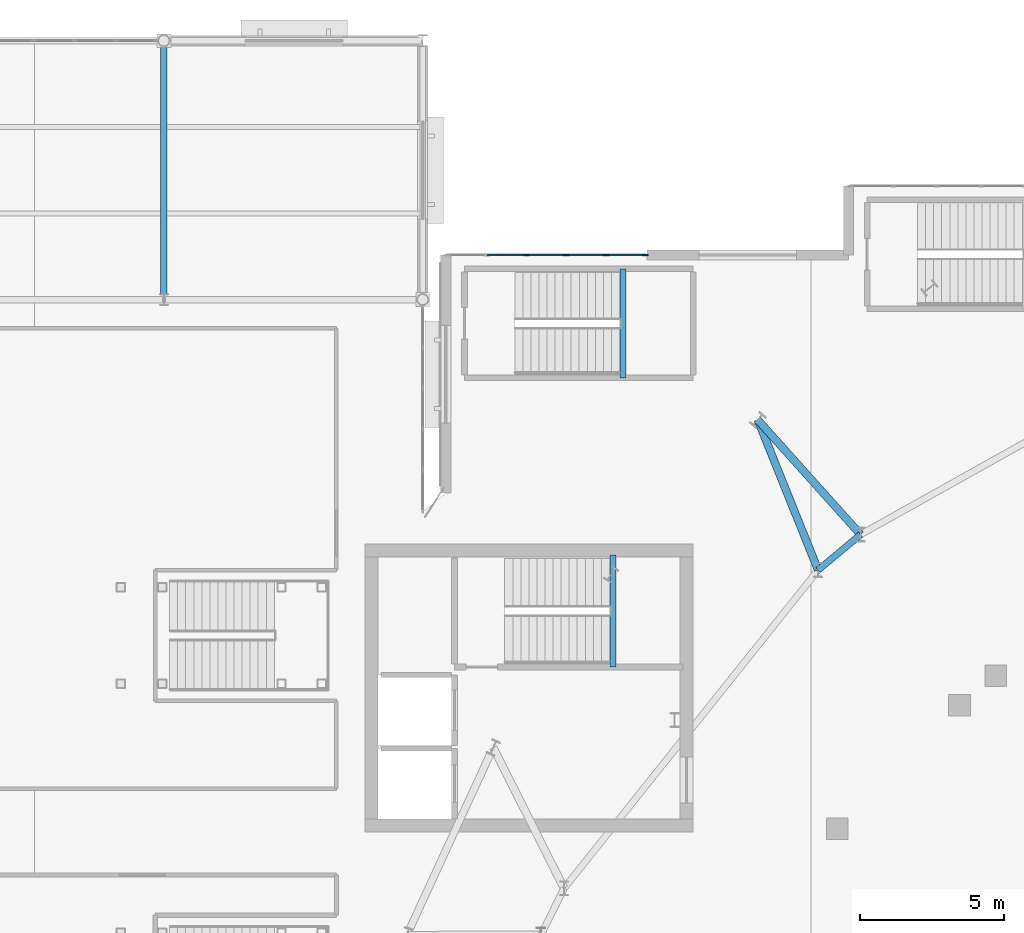
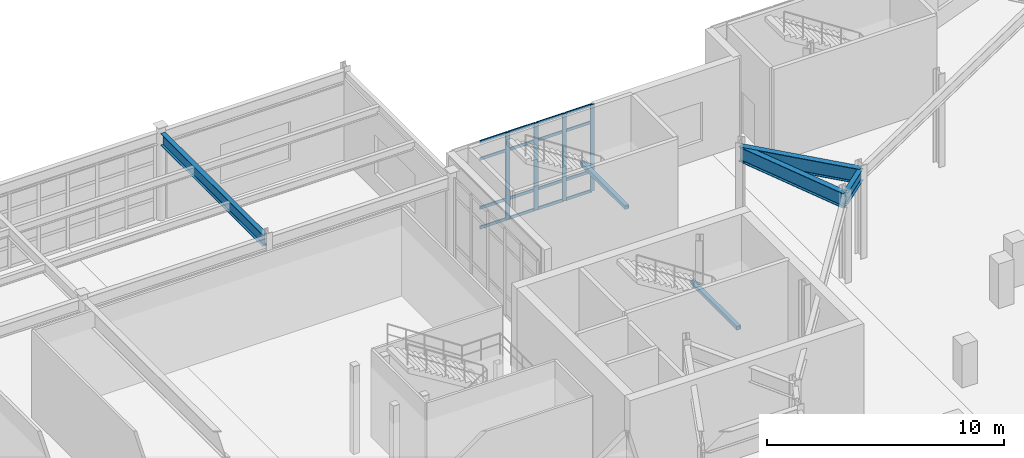
# One storey, part 41 of 84: 20 members, 6 beams, 1 element without a shape of its own.
"""IFC4 building model written with IfcOpenShell, lengths in metres."""

from ifc_helpers import new_model, si_unit, direction, frame, origin, origin_2d, place, context, subcontext, project, spatial, rectangle, hollow_rectangle, i_section, extrude, material, material_profile, profile_set, type_object, element, aggregate, save


model = new_model("IFC4")

# Units and contexts
model_context = context("Model", 3, precision=1e-05, world=origin(), true_north=direction((0.0, 1.0)))
body_context = subcontext(model_context, "Body", "Model", "MODEL_VIEW")
ifc_project = project(units=[si_unit("LENGTHUNIT", "METRE"), si_unit("AREAUNIT", "SQUARE_METRE"), si_unit("VOLUMEUNIT", "CUBIC_METRE"), si_unit("PLANEANGLEUNIT", "RADIAN"), si_unit("MASSUNIT", "GRAM", prefix="KILO")], contexts=[model_context])

# Site, building, storey
site_placement = place(None, origin())
site = spatial("IfcSite", under=ifc_project, at=site_placement, CompositionType="ELEMENT")
building_placement = place(site_placement, origin())
building = spatial("IfcBuilding", under=site, at=building_placement, Name="Glasvene Arena", CompositionType="ELEMENT")
storey_placement = place(building_placement, frame((0.0, 0.0, 10.199951171875)))
storey = spatial("IfcBuildingStorey", under=building, at=storey_placement, Name="L02", CompositionType="ELEMENT", Elevation=10.199951171875)

# Beams
ifc_material_1 = material(Name="Steel S355J2", Category="steel")
ifc_material_profile_1 = material_profile(ifc_material_1, i_section(OverallWidth=0.228271484375, OverallDepth=0.607666015625, WebThickness=0.010986328125, FlangeThickness=0.017333984375, FilletRadius=0.0126953125, at=origin_2d()), Name="UKB 610x229x113")
ifc_profile_set_1 = profile_set([ifc_material_profile_1], Name="Steel S355J2")
beam_type_1 = type_object("IfcBeamType", Name="BM-GIRD-610", PredefinedType="BEAM", material=ifc_profile_set_1)
beam_1_placement = place(storey_placement, frame((36.0, 109.195068359375, 4.21630859375), z_axis=(0.0, 1.0, 0.0), x_axis=(-1.0, 0.0, 0.0)))
element("IfcBeam", 1, at=beam_1_placement, inside=storey, type_object=beam_type_1, Name="Primary Y girder L02-0868", PredefinedType="BEAM", context=body_context, shape_type="SweptSolid", body=[
    extrude(i_section(OverallWidth=0.228271484375, OverallDepth=0.607666015625, WebThickness=0.010986328125, FlangeThickness=0.017333984375, FilletRadius=0.0126953125, at=origin_2d()), origin(), (0.0, 0.0, 1.0), 8.606689453125),
])
beam_2_placement = place(storey_placement, frame((60.219482421875, 100.834228515625, 4.215087890625), z_axis=(-0.766930434436, -0.641730246082, 0.0), x_axis=(0.641730246082, -0.766930434436, 0.0)))
element("IfcBeam", 2, at=beam_2_placement, inside=storey, type_object=beam_type_1, Name="Concourse inner ring girder L02-12", PredefinedType="BEAM", context=body_context, shape_type="SweptSolid", body=[
    extrude(i_section(OverallWidth=0.228271484375, OverallDepth=0.607666015625, WebThickness=0.010986328125, FlangeThickness=0.017333984375, FilletRadius=0.0126953125, at=origin_2d()), origin(), (0.0, 0.0, 1.0), 1.924560546875),
])
ifc_material_profile_2 = material_profile(ifc_material_1, i_section(OverallWidth=0.2666015625, OverallDepth=0.76220703125, WebThickness=0.014404296875, FlangeThickness=0.021484375, FilletRadius=0.0166015625, at=origin_2d()), Name="UKB 762x267x173")
ifc_profile_set_2 = profile_set([ifc_material_profile_2], Name="Steel S355J2")
beam_type_2 = type_object("IfcBeamType", Name="BM-GIRD-762", PredefinedType="BEAM", material=ifc_profile_set_2)
beam_3_placement = place(storey_placement, frame((60.219482421875, 100.834228515625, 4.138916015625), z_axis=(-0.667691455448, 0.744438123904, 0.0), x_axis=(-0.744438123904, -0.667691455448, 0.0)))
element("IfcBeam", 3, at=beam_3_placement, inside=storey, type_object=beam_type_2, Name="Radial concourse girder L02-12", PredefinedType="BEAM", context=body_context, shape_type="SweptSolid", body=[
    extrude(i_section(OverallWidth=0.2666015625, OverallDepth=0.76220703125, WebThickness=0.014404296875, FlangeThickness=0.021484375, FilletRadius=0.0166015625, at=origin_2d()), origin(), (0.0, 0.0, 1.0), 5.353759765625),
])
beam_4_placement = place(storey_placement, frame((58.743408203125, 99.59912109375, 4.138916015625), z_axis=(-0.372976095384, 0.927840952034, 0.0), x_axis=(-0.927840952034, -0.372976095384, 0.0)))
element("IfcBeam", 4, at=beam_4_placement, inside=storey, type_object=beam_type_2, Name="Radial concourse girder L02-13", PredefinedType="BEAM", context=body_context, shape_type="SweptSolid", body=[
    extrude(i_section(OverallWidth=0.2666015625, OverallDepth=0.76220703125, WebThickness=0.014404296875, FlangeThickness=0.021484375, FilletRadius=0.0166015625, at=origin_2d()), origin(), (0.0, 0.0, 1.0), 5.626708984375),
])
ifc_material_profile_3 = material_profile(ifc_material_1, hollow_rectangle(XDim=0.199951171875, YDim=0.199951171875, WallThickness=0.010009765625, at=origin_2d()), Name="SHS 200x200x10.0")
ifc_profile_set_3 = profile_set([ifc_material_profile_3], Name="Steel S355J2")
beam_type_3 = type_object("IfcBeamType", Name="BM-LINTEL-200", PredefinedType="LINTEL", material=ifc_profile_set_3)
beam_5_placement = place(storey_placement, frame((51.610107421875, 96.22998046875, 2.080078125), z_axis=(0.0, 1.0, 0.0), x_axis=(-1.0, 0.0, 0.0)))
element("IfcBeam", 5, at=beam_5_placement, inside=storey, type_object=beam_type_3, Name="Stair half-landing support beam ST-01-L02", PredefinedType="LINTEL", context=body_context, shape_type="SweptSolid", body=[
    extrude(hollow_rectangle(XDim=0.199951171875, YDim=0.199951171875, WallThickness=0.010009765625, at=origin_2d()), origin(), (0.0, 0.0, 1.0), 3.89013671875),
])
beam_6_placement = place(storey_placement, frame((51.9599609375, 106.280029296875, 2.080078125), z_axis=(0.0, 1.0, 0.0), x_axis=(-1.0, 0.0, 0.0)))
element("IfcBeam", 6, at=beam_6_placement, inside=storey, type_object=beam_type_3, Name="Stair half-landing support beam ST-12-L02", PredefinedType="LINTEL", context=body_context, shape_type="SweptSolid", body=[
    extrude(hollow_rectangle(XDim=0.199951171875, YDim=0.199951171875, WallThickness=0.010009765625, at=origin_2d()), origin(), (0.0, 0.0, 1.0), 3.7900390625),
])

# Curtain wall, members
ifc_material_2 = material(Name="Low-emissivity laminated double glazing", Category="glass")
curtain_wall_type = type_object("IfcCurtainWallType", Name="CW-FAC-L02-692x446", PredefinedType="USERDEFINED", material=ifc_material_2)
curtain_wall_placement = place(storey_placement, frame((45.840087890625, 110.550048828125, 0.0)))
curtain_wall = element("IfcCurtainWall", 7, at=curtain_wall_placement, inside=storey, type_object=curtain_wall_type, Name="Unitised curtain wall CW-F-L02-180-493-1106-16", ObjectType="CURTAIN WALL", PredefinedType="USERDEFINED")
ifc_material_3 = material(Name="Anodised architectural aluminium", Category="aluminium")
ifc_material_profile_4 = material_profile(ifc_material_3, rectangle(XDim=0.050048828125, YDim=0.199951171875, at=origin_2d()), Name="ALU MULLION 50x200")
ifc_profile_set_4 = profile_set([ifc_material_profile_4], Name="Anodised architectural aluminium")
member_type_1 = type_object("IfcMemberType", Name="CW-MUL-180", PredefinedType="MULLION", material=ifc_profile_set_4)
member_1_placement = place(storey_placement, frame((48.60791015625, 110.550048828125, 0.06005859375), z_axis=(0.0, 0.0, 1.0), x_axis=(0.0, 1.0, 0.0)))
member_1 = element("IfcMember", 8, at=member_1_placement, type_object=member_type_1, Name="CW-021 mullion 3", PredefinedType="MULLION", context=body_context, shape_type="SweptSolid", body=[
    extrude(rectangle(XDim=0.050048828125, YDim=0.199951171875, at=origin_2d()), origin(), (0.0, 0.0, 1.0), 4.4599609375),
])
member_2_placement = place(storey_placement, frame((49.991943359375, 110.550048828125, 0.06005859375), z_axis=(0.0, 0.0, 1.0), x_axis=(0.0, 1.0, 0.0)))
member_2 = element("IfcMember", 9, at=member_2_placement, type_object=member_type_1, Name="CW-021 mullion 4", PredefinedType="MULLION", context=body_context, shape_type="SweptSolid", body=[
    extrude(rectangle(XDim=0.050048828125, YDim=0.199951171875, at=origin_2d()), origin(), (0.0, 0.0, 1.0), 4.4599609375),
])
member_3_placement = place(storey_placement, frame((51.3759765625, 110.550048828125, 0.06005859375), z_axis=(0.0, 0.0, 1.0), x_axis=(0.0, 1.0, 0.0)))
member_3 = element("IfcMember", 10, at=member_3_placement, type_object=member_type_1, Name="CW-021 mullion 5", PredefinedType="MULLION", context=body_context, shape_type="SweptSolid", body=[
    extrude(rectangle(XDim=0.050048828125, YDim=0.199951171875, at=origin_2d()), origin(), (0.0, 0.0, 1.0), 4.4599609375),
])
member_4_placement = place(storey_placement, frame((52.735107421875, 110.550048828125, 0.06005859375), z_axis=(0.0, 0.0, 1.0), x_axis=(0.0, 1.0, 0.0)))
member_4 = element("IfcMember", 11, at=member_4_placement, type_object=member_type_1, Name="CW-021 mullion 6", PredefinedType="MULLION", context=body_context, shape_type="SweptSolid", body=[
    extrude(rectangle(XDim=0.050048828125, YDim=0.199951171875, at=origin_2d()), origin(), (0.0, 0.0, 1.0), 4.4599609375),
])
ifc_material_profile_5 = material_profile(ifc_material_3, rectangle(XDim=0.050048828125, YDim=0.14990234375, at=origin_2d()), Name="ALU TRANSOM 50x150")
ifc_profile_set_5 = profile_set([ifc_material_profile_5], Name="Anodised architectural aluminium")
member_type_2 = type_object("IfcMemberType", Name="CW-TRN-150", PredefinedType="USERDEFINED", material=ifc_profile_set_5)
member_5_placement = place(storey_placement, frame((47.2490234375, 110.550048828125, 0.0849609375), z_axis=(1.0, 0.0, 0.0), x_axis=(0.0, 1.0, 0.0)))
member_5 = element("IfcMember", 12, at=member_5_placement, type_object=member_type_2, Name="CW-021 transom 2.1", ObjectType="TRANSOM", PredefinedType="USERDEFINED", context=body_context, shape_type="SweptSolid", body=[
    extrude(rectangle(XDim=0.050048828125, YDim=0.14990234375, at=origin_2d()), origin(), (0.0, 0.0, 1.0), 1.333984375),
])
member_6_placement = place(storey_placement, frame((47.2490234375, 110.550048828125, 1.10009765625), z_axis=(1.0, 0.0, 0.0), x_axis=(0.0, 1.0, 0.0)))
member_6 = element("IfcMember", 13, at=member_6_placement, type_object=member_type_2, Name="CW-021 transom 2.2", ObjectType="TRANSOM", PredefinedType="USERDEFINED", context=body_context, shape_type="SweptSolid", body=[
    extrude(rectangle(XDim=0.050048828125, YDim=0.14990234375, at=origin_2d()), origin(), (0.0, 0.0, 1.0), 1.333984375),
])
member_7_placement = place(storey_placement, frame((47.2490234375, 110.550048828125, 3.6201171875), z_axis=(1.0, 0.0, 0.0), x_axis=(0.0, 1.0, 0.0)))
member_7 = element("IfcMember", 14, at=member_7_placement, type_object=member_type_2, Name="CW-021 transom 2.3", ObjectType="TRANSOM", PredefinedType="USERDEFINED", context=body_context, shape_type="SweptSolid", body=[
    extrude(rectangle(XDim=0.050048828125, YDim=0.14990234375, at=origin_2d()), origin(), (0.0, 0.0, 1.0), 1.333984375),
])
member_8_placement = place(storey_placement, frame((47.2490234375, 110.550048828125, 4.4951171875), z_axis=(1.0, 0.0, 0.0), x_axis=(0.0, 1.0, 0.0)))
member_8 = element("IfcMember", 15, at=member_8_placement, type_object=member_type_2, Name="CW-021 transom 2.4", ObjectType="TRANSOM", PredefinedType="USERDEFINED", context=body_context, shape_type="SweptSolid", body=[
    extrude(rectangle(XDim=0.050048828125, YDim=0.14990234375, at=origin_2d()), origin(), (0.0, 0.0, 1.0), 1.333984375),
])
member_9_placement = place(storey_placement, frame((48.633056640625, 110.550048828125, 0.0849609375), z_axis=(1.0, 0.0, 0.0), x_axis=(0.0, 1.0, 0.0)))
member_9 = element("IfcMember", 16, at=member_9_placement, type_object=member_type_2, Name="CW-021 transom 3.1", ObjectType="TRANSOM", PredefinedType="USERDEFINED", context=body_context, shape_type="SweptSolid", body=[
    extrude(rectangle(XDim=0.050048828125, YDim=0.14990234375, at=origin_2d()), origin(), (0.0, 0.0, 1.0), 1.333984375),
])
member_10_placement = place(storey_placement, frame((48.633056640625, 110.550048828125, 1.10009765625), z_axis=(1.0, 0.0, 0.0), x_axis=(0.0, 1.0, 0.0)))
member_10 = element("IfcMember", 17, at=member_10_placement, type_object=member_type_2, Name="CW-021 transom 3.2", ObjectType="TRANSOM", PredefinedType="USERDEFINED", context=body_context, shape_type="SweptSolid", body=[
    extrude(rectangle(XDim=0.050048828125, YDim=0.14990234375, at=origin_2d()), origin(), (0.0, 0.0, 1.0), 1.333984375),
])
member_11_placement = place(storey_placement, frame((48.633056640625, 110.550048828125, 3.6201171875), z_axis=(1.0, 0.0, 0.0), x_axis=(0.0, 1.0, 0.0)))
member_11 = element("IfcMember", 18, at=member_11_placement, type_object=member_type_2, Name="CW-021 transom 3.3", ObjectType="TRANSOM", PredefinedType="USERDEFINED", context=body_context, shape_type="SweptSolid", body=[
    extrude(rectangle(XDim=0.050048828125, YDim=0.14990234375, at=origin_2d()), origin(), (0.0, 0.0, 1.0), 1.333984375),
])
member_12_placement = place(storey_placement, frame((48.633056640625, 110.550048828125, 4.4951171875), z_axis=(1.0, 0.0, 0.0), x_axis=(0.0, 1.0, 0.0)))
member_12 = element("IfcMember", 19, at=member_12_placement, type_object=member_type_2, Name="CW-021 transom 3.4", ObjectType="TRANSOM", PredefinedType="USERDEFINED", context=body_context, shape_type="SweptSolid", body=[
    extrude(rectangle(XDim=0.050048828125, YDim=0.14990234375, at=origin_2d()), origin(), (0.0, 0.0, 1.0), 1.333984375),
])
member_13_placement = place(storey_placement, frame((50.01708984375, 110.550048828125, 0.0849609375), z_axis=(1.0, 0.0, 0.0), x_axis=(0.0, 1.0, 0.0)))
member_13 = element("IfcMember", 20, at=member_13_placement, type_object=member_type_2, Name="CW-021 transom 4.1", ObjectType="TRANSOM", PredefinedType="USERDEFINED", context=body_context, shape_type="SweptSolid", body=[
    extrude(rectangle(XDim=0.050048828125, YDim=0.14990234375, at=origin_2d()), origin(), (0.0, 0.0, 1.0), 1.333984375),
])
member_14_placement = place(storey_placement, frame((50.01708984375, 110.550048828125, 1.10009765625), z_axis=(1.0, 0.0, 0.0), x_axis=(0.0, 1.0, 0.0)))
member_14 = element("IfcMember", 21, at=member_14_placement, type_object=member_type_2, Name="CW-021 transom 4.2", ObjectType="TRANSOM", PredefinedType="USERDEFINED", context=body_context, shape_type="SweptSolid", body=[
    extrude(rectangle(XDim=0.050048828125, YDim=0.14990234375, at=origin_2d()), origin(), (0.0, 0.0, 1.0), 1.333984375),
])
member_15_placement = place(storey_placement, frame((50.01708984375, 110.550048828125, 3.6201171875), z_axis=(1.0, 0.0, 0.0), x_axis=(0.0, 1.0, 0.0)))
member_15 = element("IfcMember", 22, at=member_15_placement, type_object=member_type_2, Name="CW-021 transom 4.3", ObjectType="TRANSOM", PredefinedType="USERDEFINED", context=body_context, shape_type="SweptSolid", body=[
    extrude(rectangle(XDim=0.050048828125, YDim=0.14990234375, at=origin_2d()), origin(), (0.0, 0.0, 1.0), 1.333984375),
])
member_16_placement = place(storey_placement, frame((50.01708984375, 110.550048828125, 4.4951171875), z_axis=(1.0, 0.0, 0.0), x_axis=(0.0, 1.0, 0.0)))
member_16 = element("IfcMember", 23, at=member_16_placement, type_object=member_type_2, Name="CW-021 transom 4.4", ObjectType="TRANSOM", PredefinedType="USERDEFINED", context=body_context, shape_type="SweptSolid", body=[
    extrude(rectangle(XDim=0.050048828125, YDim=0.14990234375, at=origin_2d()), origin(), (0.0, 0.0, 1.0), 1.333984375),
])
member_17_placement = place(storey_placement, frame((51.40087890625, 110.550048828125, 0.0849609375), z_axis=(1.0, 0.0, 0.0), x_axis=(0.0, 1.0, 0.0)))
member_17 = element("IfcMember", 24, at=member_17_placement, type_object=member_type_2, Name="CW-021 transom 5.1", ObjectType="TRANSOM", PredefinedType="USERDEFINED", context=body_context, shape_type="SweptSolid", body=[
    extrude(rectangle(XDim=0.050048828125, YDim=0.14990234375, at=origin_2d()), origin(), (0.0, 0.0, 1.0), 1.30908203125),
])
member_18_placement = place(storey_placement, frame((51.40087890625, 110.550048828125, 1.10009765625), z_axis=(1.0, 0.0, 0.0), x_axis=(0.0, 1.0, 0.0)))
member_18 = element("IfcMember", 25, at=member_18_placement, type_object=member_type_2, Name="CW-021 transom 5.2", ObjectType="TRANSOM", PredefinedType="USERDEFINED", context=body_context, shape_type="SweptSolid", body=[
    extrude(rectangle(XDim=0.050048828125, YDim=0.14990234375, at=origin_2d()), origin(), (0.0, 0.0, 1.0), 1.30908203125),
])
member_19_placement = place(storey_placement, frame((51.40087890625, 110.550048828125, 3.6201171875), z_axis=(1.0, 0.0, 0.0), x_axis=(0.0, 1.0, 0.0)))
member_19 = element("IfcMember", 26, at=member_19_placement, type_object=member_type_2, Name="CW-021 transom 5.3", ObjectType="TRANSOM", PredefinedType="USERDEFINED", context=body_context, shape_type="SweptSolid", body=[
    extrude(rectangle(XDim=0.050048828125, YDim=0.14990234375, at=origin_2d()), origin(), (0.0, 0.0, 1.0), 1.30908203125),
])
member_20_placement = place(storey_placement, frame((51.40087890625, 110.550048828125, 4.4951171875), z_axis=(1.0, 0.0, 0.0), x_axis=(0.0, 1.0, 0.0)))
member_20 = element("IfcMember", 27, at=member_20_placement, type_object=member_type_2, Name="CW-021 transom 5.4", ObjectType="TRANSOM", PredefinedType="USERDEFINED", context=body_context, shape_type="SweptSolid", body=[
    extrude(rectangle(XDim=0.050048828125, YDim=0.14990234375, at=origin_2d()), origin(), (0.0, 0.0, 1.0), 1.30908203125),
])
aggregate(curtain_wall, [member_1, member_2, member_3, member_4, member_5, member_6, member_7, member_8, member_9, member_10, member_11, member_12, member_13, member_14, member_15, member_16, member_17, member_18, member_19, member_20])

save(model, "model.ifc")
